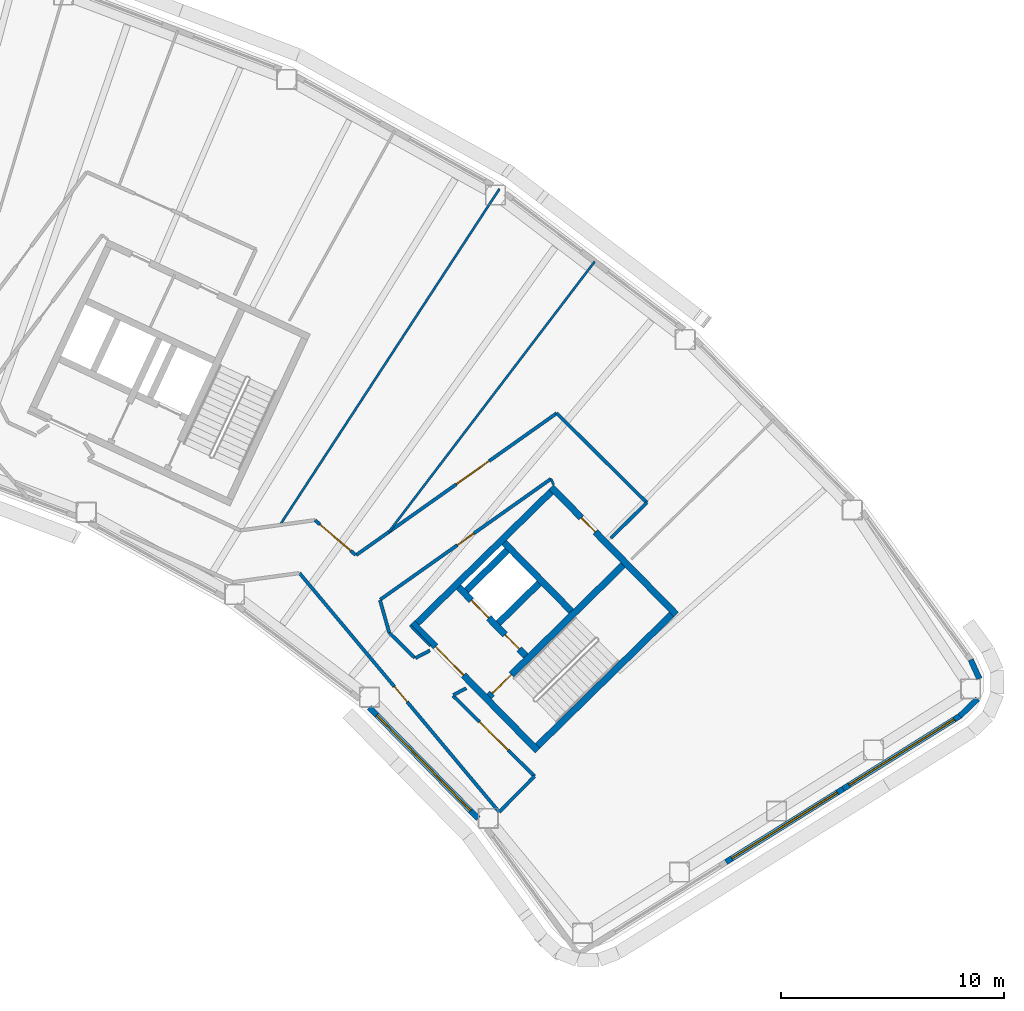
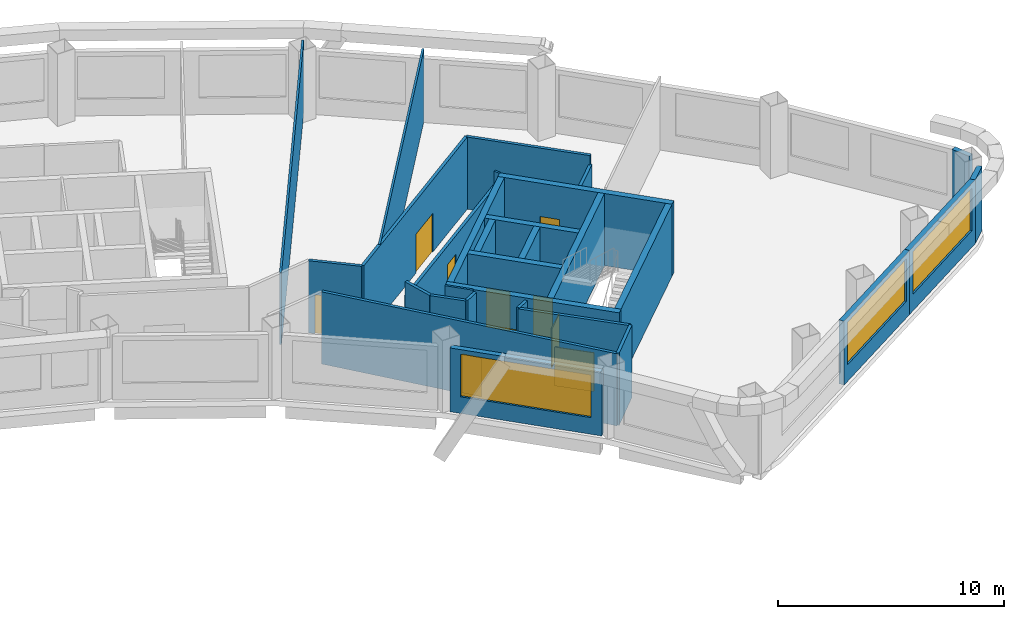
# One storey, part 9 of 14: 30 walls, 10 doors, 3 windows, 13 openings.
"""IFC4 building model written with IfcOpenShell, lengths in metres."""

from ifc_helpers import new_model, si_unit, direction, frame, frame_2d, origin, place, context, subcontext, project, spatial, rectangle, extrude, material, layer, layer_set, type_object, element, fill, save


model = new_model("IFC4")

# Units and contexts
model_context = context("Model", 3, precision=1e-05, world=origin(), true_north=direction((0.0, 1.0)))
body_context = subcontext(model_context, "Body", "Model", "MODEL_VIEW")
ifc_project = project(units=[si_unit("LENGTHUNIT", "METRE"), si_unit("AREAUNIT", "SQUARE_METRE"), si_unit("VOLUMEUNIT", "CUBIC_METRE"), si_unit("PLANEANGLEUNIT", "RADIAN"), si_unit("MASSUNIT", "GRAM", prefix="KILO")], contexts=[model_context])

# Site, building, storey
site_placement = place(None, origin())
site = spatial("IfcSite", under=ifc_project, at=site_placement, CompositionType="ELEMENT")
building_placement = place(site_placement, origin())
building = spatial("IfcBuilding", under=site, at=building_placement, Name="Tuul Gate Civic Tower", CompositionType="ELEMENT")
storey_placement = place(building_placement, frame((0.0, 0.0, 213.699951171875)))
storey = spatial("IfcBuildingStorey", under=building, at=storey_placement, Name="Level 48", CompositionType="ELEMENT", Elevation=213.699951171875)

# Wall, opening, door
ifc_material_1 = material(Name="Concrete C50/60", Category="concrete")
ifc_layer_1 = layer(ifc_material_1, 0.300048828125)
ifc_layer_set_1 = layer_set([ifc_layer_1], Name="Concrete C50/60")
wall_type_1 = type_object("IfcWallType", Name="Core wall C50/60", PredefinedType="SHEAR", material=ifc_layer_set_1)
wall_1_placement = place(storey_placement, frame((48.22509765625, -18.327880859375, 0.0), z_axis=(0.0, 0.0, 1.0), x_axis=(-0.700021979774, 0.714121297703, 0.0)))
wall_1 = element("IfcWall", 1, at=wall_1_placement, inside=storey, type_object=wall_type_1, Name="Core wall", PredefinedType="SHEAR", context=body_context, shape_type="SweptSolid", body=[
    extrude(rectangle(XDim=8.0, YDim=0.300048828125, at=frame_2d((4.0, 0.0))), origin(), (0.0, 0.0, 1.0), 3.900146484375),
])
opening_1_placement = place(wall_1_placement, frame((4.72509765625, 0.0, 0.0)))
opening_1 = element("IfcOpeningElement", 2, at=opening_1_placement, cuts=wall_1, Name="Opening LB-E1-LOBBY-1", PredefinedType="OPENING", context=body_context, shape_type="SweptSolid", body=[
    extrude(rectangle(XDim=1.800048828125, YDim=2.10009765625, at=frame_2d((0.89990234375, 1.050048828125))), frame((0.0, 0.16015625, 0.0), z_axis=(0.0, -1.0, 0.0), x_axis=(1.0, 0.0, 0.0)), (0.0, 0.0, 1.0), 0.320068359375),
])
ifc_material_2 = material(Name="Steel", Category="steel")
door_type_1 = type_object("IfcDoorType", Name="Lobby door", OperationType="DOUBLE_DOOR_SINGLE_SWING", PredefinedType="DOOR", material=ifc_material_2)
door_1_placement = place(opening_1_placement, frame((1.800048828125, 0.0, 0.0), z_axis=(0.0, 0.0, 1.0), x_axis=(-1.0, 0.0, 0.0)))
door_1 = element("IfcDoor", 3, at=door_1_placement, inside=storey, type_object=door_type_1, Name="Lobby door E1-LOBBY", OperationType="DOUBLE_DOOR_SINGLE_SWING", OverallHeight=2.10009765625, OverallWidth=1.800048828125, PredefinedType="DOOR", context=body_context, shape_type="SweptSolid", body=[
    extrude(rectangle(XDim=1.800048828125, YDim=2.10009765625, at=frame_2d((0.900146484375, 1.050048828125))), frame((0.0, 0.02490234375, 0.0), z_axis=(0.0, -1.0, 0.0), x_axis=(1.0, 0.0, 0.0)), (0.0, 0.0, 1.0), 0.050048828125),
])
fill(opening_1, door_1)

# Wall, openings, doors
wall_2_placement = place(storey_placement, frame((47.701904296875, -14.079833984375, 0.0), z_axis=(0.0, 0.0, 1.0), x_axis=(-0.700002721075, 0.714140175657, 0.0)))
wall_2 = element("IfcWall", 4, at=wall_2_placement, inside=storey, type_object=wall_type_1, Name="Core wall", PredefinedType="SHEAR", context=body_context, shape_type="SweptSolid", body=[
    extrude(rectangle(XDim=4.300048828125, YDim=0.300048828125, at=frame_2d((2.14990234375, 0.0))), origin(), (0.0, 0.0, 1.0), 3.900146484375),
])
opening_2_placement = place(wall_2_placement, frame((0.425048828125, 0.0, 0.0)))
opening_2 = element("IfcOpeningElement", 5, at=opening_2_placement, cuts=wall_2, Name="Opening FB-E1A1", PredefinedType="OPENING", context=body_context, shape_type="SweptSolid", body=[
    extrude(rectangle(XDim=0.89990234375, YDim=2.10009765625, at=frame_2d((0.449951171875, 1.050048828125))), frame((0.0, 0.16015625, 0.0), z_axis=(0.0, -1.0, 0.0), x_axis=(1.0, 0.0, 0.0)), (0.0, 0.0, 1.0), 0.320068359375),
])
opening_3_placement = place(wall_2_placement, frame((2.375, 0.0, 0.0)))
opening_3 = element("IfcOpeningElement", 6, at=opening_3_placement, cuts=wall_2, Name="Opening LD-M3", PredefinedType="OPENING", context=body_context, shape_type="SweptSolid", body=[
    extrude(rectangle(XDim=1.10009765625, YDim=2.10009765625, at=frame_2d((0.550048828125, 1.050048828125))), frame((0.0, 0.16015625, 0.0), z_axis=(0.0, -1.0, 0.0), x_axis=(1.0, 0.0, 0.0)), (0.0, 0.0, 1.0), 0.320068359375),
])
ifc_material_3 = material(Name="Stainless steel", Category="steel")
door_type_2 = type_object("IfcDoorType", Name="Landing door", OperationType="DOUBLE_DOOR_SLIDING", PredefinedType="DOOR", material=ifc_material_3)
door_2_placement = place(opening_3_placement, origin())
door_2 = element("IfcDoor", 7, at=door_2_placement, inside=storey, type_object=door_type_2, Name="Mid-rise lift M3 landing door", OperationType="DOUBLE_DOOR_SLIDING", OverallHeight=2.10009765625, OverallWidth=1.10009765625, PredefinedType="DOOR", context=body_context, shape_type="SweptSolid", body=[
    extrude(rectangle(XDim=1.10009765625, YDim=2.10009765625, at=frame_2d((0.550048828125, 1.050048828125))), frame((0.0, 0.02490234375, 0.0), z_axis=(0.0, -1.0, 0.0), x_axis=(1.0, 0.0, 0.0)), (0.0, 0.0, 1.0), 0.050048828125),
])
fill(opening_3, door_2)
ifc_material_4 = material(Name="Steel", Category="steel")
door_type_3 = type_object("IfcDoorType", Name="Store door", OperationType="NOTDEFINED", PredefinedType="DOOR", material=ifc_material_4)
door_3_placement = place(opening_2_placement, frame((0.89990234375, 0.0, 0.0), z_axis=(0.0, 0.0, 1.0), x_axis=(-1.0, 0.0, 0.0)))
door_3 = element("IfcDoor", 8, at=door_3_placement, inside=storey, type_object=door_type_3, Name="Store door E1A1", OperationType="SINGLE_SWING_RIGHT", OverallHeight=2.10009765625, OverallWidth=0.89990234375, PredefinedType="DOOR", context=body_context, shape_type="SweptSolid", body=[
    extrude(rectangle(XDim=0.89990234375, YDim=2.10009765625, at=frame_2d((0.449951171875, 1.050048828125))), frame((0.0, 0.02490234375, 0.0), z_axis=(0.0, -1.0, 0.0), x_axis=(1.0, 0.0, 0.0)), (0.0, 0.0, 1.0), 0.050048828125),
])
fill(opening_2, door_3)

# Wall
wall_3_placement = place(storey_placement, frame((49.737060546875, -12.0849609375, 0.0), z_axis=(0.0, 0.0, 1.0), x_axis=(-0.700002721075, 0.714140175657, 0.0)))
element("IfcWall", 9, at=wall_3_placement, inside=storey, type_object=wall_type_1, Name="Core wall", PredefinedType="SHEAR", context=body_context, shape_type="SweptSolid", body=[
    extrude(rectangle(XDim=4.300048828125, YDim=0.300048828125, at=frame_2d((2.14990234375, 0.0))), origin(), (0.0, 0.0, 1.0), 3.900146484375),
])

# Wall, opening, door
wall_4_placement = place(storey_placement, frame((54.43798828125, -12.23779296875, 0.0), z_axis=(0.0, 0.0, 1.0), x_axis=(-0.700021979774, 0.714121297703, 0.0)))
wall_4 = element("IfcWall", 10, at=wall_4_placement, inside=storey, type_object=wall_type_1, Name="Core wall", PredefinedType="SHEAR", context=body_context, shape_type="SweptSolid", body=[
    extrude(rectangle(XDim=8.0, YDim=0.300048828125, at=frame_2d((4.0, 0.0))), origin(), (0.0, 0.0, 1.0), 3.900146484375),
])
opening_4_placement = place(wall_4_placement, frame((5.175048828125, 0.0, 0.0)))
opening_4 = element("IfcOpeningElement", 11, at=opening_4_placement, cuts=wall_4, Name="Opening Q-D28", PredefinedType="OPENING", context=body_context, shape_type="SweptSolid", body=[
    extrude(rectangle(XDim=0.89990234375, YDim=2.10009765625, at=frame_2d((0.449951171875, 1.050048828125))), frame((0.0, 0.16015625, 0.0), z_axis=(0.0, -1.0, 0.0), x_axis=(1.0, 0.0, 0.0)), (0.0, 0.0, 1.0), 0.320068359375),
])
ifc_material_5 = material(Name="Timber door leaf", Category="wood")
door_type_4 = type_object("IfcDoorType", Name="Door D09", OperationType="NOTDEFINED", PredefinedType="DOOR", material=ifc_material_5)
door_4_placement = place(opening_4_placement, origin())
door_4 = element("IfcDoor", 12, at=door_4_placement, inside=storey, type_object=door_type_4, Name="Door Q-D28", OperationType="SINGLE_SWING_LEFT", OverallHeight=2.10009765625, OverallWidth=0.89990234375, PredefinedType="DOOR", context=body_context, shape_type="SweptSolid", body=[
    extrude(rectangle(XDim=0.89990234375, YDim=2.10009765625, at=frame_2d((0.449951171875, 1.050048828125))), frame((0.0, 0.02490234375, 0.0), z_axis=(0.0, -1.0, 0.0), x_axis=(1.0, 0.0, 0.0)), (0.0, 0.0, 1.0), 0.050048828125),
])
fill(opening_4, door_4)

# Wall
wall_5_placement = place(storey_placement, frame((48.227294921875, -18.115966796875, 0.0), z_axis=(0.0, 0.0, 1.0), x_axis=(0.714105315431, 0.700038283577, 0.0)))
element("IfcWall", 13, at=wall_5_placement, inside=storey, type_object=wall_type_1, Name="Core wall", PredefinedType="SHEAR", context=body_context, shape_type="SweptSolid", body=[
    extrude(rectangle(XDim=8.400146484375, YDim=0.300048828125, at=frame_2d((4.2001953125, 0.0))), origin(), (0.0, 0.0, 1.0), 3.900146484375),
])

# Wall, opening, door
wall_6_placement = place(storey_placement, frame((46.05712890625, -15.902099609375, 0.0), z_axis=(0.0, 0.0, 1.0), x_axis=(0.714134086973, 0.700008932674, 0.0)))
wall_6 = element("IfcWall", 14, at=wall_6_placement, inside=storey, type_object=wall_type_1, Name="Core wall", PredefinedType="SHEAR", context=body_context, shape_type="SweptSolid", body=[
    extrude(rectangle(XDim=8.400146484375, YDim=0.300048828125, at=frame_2d((4.2001953125, 0.0))), origin(), (0.0, 0.0, 1.0), 3.900146484375),
])
opening_5_placement = place(wall_6_placement, frame((0.199951171875, 0.0, 0.0)))
opening_5 = element("IfcOpeningElement", 15, at=opening_5_placement, cuts=wall_6, Name="Opening SD-ST-3", PredefinedType="OPENING", context=body_context, shape_type="SweptSolid", body=[
    extrude(rectangle(XDim=1.199951171875, YDim=2.10009765625, at=frame_2d((0.60009765625, 1.050048828125))), frame((0.0, 0.16015625, 0.0), z_axis=(0.0, -1.0, 0.0), x_axis=(1.0, 0.0, 0.0)), (0.0, 0.0, 1.0), 0.320068359375),
])
ifc_material_6 = material(Name="Steel", Category="steel")
door_type_5 = type_object("IfcDoorType", Name="Stair door", OperationType="NOTDEFINED", PredefinedType="DOOR", material=ifc_material_6)
door_5_placement = place(opening_5_placement, origin())
door_5 = element("IfcDoor", 16, at=door_5_placement, inside=storey, type_object=door_type_5, Name="Stair door ST-3", OperationType="SINGLE_SWING_LEFT", OverallHeight=2.10009765625, OverallWidth=1.199951171875, PredefinedType="DOOR", context=body_context, shape_type="SweptSolid", body=[
    extrude(rectangle(XDim=1.199951171875, YDim=2.10009765625, at=frame_2d((0.60009765625, 1.050048828125))), frame((0.0, 0.02490234375, 0.0), z_axis=(0.0, -1.0, 0.0), x_axis=(1.0, 0.0, 0.0)), (0.0, 0.0, 1.0), 0.050048828125),
])
fill(opening_5, door_5)

# Walls
wall_7_placement = place(storey_placement, frame((46.47900390625, -12.617919921875, 0.0), z_axis=(0.0, 0.0, 1.0), x_axis=(0.71410944159, 0.700034074479, 0.0)))
element("IfcWall", 17, at=wall_7_placement, inside=storey, type_object=wall_type_1, Name="Core wall", PredefinedType="SHEAR", context=body_context, shape_type="SweptSolid", body=[
    extrude(rectangle(XDim=2.5498046875, YDim=0.300048828125, at=frame_2d((1.27490234375, 0.0))), origin(), (0.0, 0.0, 1.0), 3.900146484375),
])
wall_8_placement = place(storey_placement, frame((45.0439453125, -11.154052734375, 0.0), z_axis=(0.0, 0.0, 1.0), x_axis=(0.714108498262, 0.700035036773, 0.0)))
element("IfcWall", 18, at=wall_8_placement, inside=storey, type_object=wall_type_1, Name="Core wall", PredefinedType="SHEAR", context=body_context, shape_type="SweptSolid", body=[
    extrude(rectangle(XDim=2.550048828125, YDim=0.300048828125, at=frame_2d((1.27490234375, 0.0))), origin(), (0.0, 0.0, 1.0), 3.900146484375),
])
wall_9_placement = place(storey_placement, frame((42.837158203125, -12.616943359375, 0.0), z_axis=(0.0, 0.0, 1.0), x_axis=(0.714119844755, 0.700023461983, 0.0)))
element("IfcWall", 19, at=wall_9_placement, inside=storey, type_object=wall_type_1, Name="Core wall", PredefinedType="SHEAR", context=body_context, shape_type="SweptSolid", body=[
    extrude(rectangle(XDim=8.39990234375, YDim=0.300048828125, at=frame_2d((4.199951171875, 0.0))), origin(), (0.0, 0.0, 1.0), 3.900146484375),
])

# Wall, opening, door
ifc_material_7 = material(Name="Gypsum board partition")
ifc_layer_2 = layer(ifc_material_7, 0.14990234375)
ifc_layer_set_2 = layer_set([ifc_layer_2], Name="Gypsum board partition")
wall_type_2 = type_object("IfcWallType", Name="Corridor wall P150", PredefinedType="PARTITIONING", material=ifc_layer_set_2)
wall_10_placement = place(storey_placement, frame((37.57421875, -10.383544921875, 0.0), z_axis=(0.0, 0.0, 1.0), x_axis=(0.641390037822, -0.767214975989, 0.0)))
wall_10 = element("IfcWall", 20, at=wall_10_placement, inside=storey, type_object=wall_type_2, Name="p003", PredefinedType="PARTITIONING", context=body_context, shape_type="SweptSolid", body=[
    extrude(rectangle(XDim=13.933349609375, YDim=0.14990234375, at=frame_2d((6.966796875, 0.0))), origin(), (0.0, 0.0, 1.0), 3.900146484375),
])
opening_6_placement = place(wall_10_placement, frame((6.616943359375, 0.0, 0.0)))
opening_6 = element("IfcOpeningElement", 21, at=opening_6_placement, cuts=wall_10, Name="Opening Q-D21", PredefinedType="OPENING", context=body_context, shape_type="SweptSolid", body=[
    extrude(rectangle(XDim=0.89990234375, YDim=2.10009765625, at=frame_2d((0.449951171875, 1.050048828125))), frame((0.0, 0.0849609375, 0.0), z_axis=(0.0, -1.0, 0.0), x_axis=(1.0, 0.0, 0.0)), (0.0, 0.0, 1.0), 0.169921875),
])
door_6_placement = place(opening_6_placement, frame((0.89990234375, 0.0, 0.0), z_axis=(0.0, 0.0, 1.0), x_axis=(-1.0, 0.0, 0.0)))
door_6 = element("IfcDoor", 22, at=door_6_placement, inside=storey, type_object=door_type_4, Name="Door Q-D21", OperationType="SINGLE_SWING_LEFT", OverallHeight=2.10009765625, OverallWidth=0.89990234375, PredefinedType="DOOR", context=body_context, shape_type="SweptSolid", body=[
    extrude(rectangle(XDim=0.89990234375, YDim=2.10009765625, at=frame_2d((0.449951171875, 1.050048828125))), frame((0.0, 0.02490234375, 0.0), z_axis=(0.0, -1.0, 0.0), x_axis=(1.0, 0.0, 0.0)), (0.0, 0.0, 1.0), 0.050048828125),
])
fill(opening_6, door_6)

# Walls
wall_11_placement = place(storey_placement, frame((46.510986328125, -21.073486328125, 0.0), z_axis=(0.0, 0.0, 1.0), x_axis=(0.702862622196, 0.711325617647, 0.0)))
element("IfcWall", 23, at=wall_11_placement, inside=storey, type_object=wall_type_2, Name="p004", PredefinedType="PARTITIONING", context=body_context, shape_type="SweptSolid", body=[
    extrude(rectangle(XDim=2.250244140625, YDim=0.14990234375, at=frame_2d((1.125, 0.0))), origin(), (0.0, 0.0, 1.0), 3.900146484375),
])
wall_12_placement = place(storey_placement, frame((41.590087890625, -13.047119140625, 0.0), z_axis=(0.0, 0.0, 1.0), x_axis=(0.711334510502, -0.70285362215, 0.0)))
element("IfcWall", 24, at=wall_12_placement, inside=storey, type_object=wall_type_2, Name="p005", PredefinedType="PARTITIONING", context=body_context, shape_type="SweptSolid", body=[
    extrude(rectangle(XDim=1.612060546875, YDim=0.14990234375, at=frame_2d((0.80615234375, 0.0))), origin(), (0.0, 0.0, 1.0), 3.900146484375),
])

# Wall, opening, door
wall_13_placement = place(storey_placement, frame((44.4462890625, -15.869384765625, 0.0), z_axis=(0.0, 0.0, 1.0), x_axis=(0.711261585743, -0.702927419188, 0.0)))
wall_13 = element("IfcWall", 25, at=wall_13_placement, inside=storey, type_object=wall_type_2, Name="p006", PredefinedType="PARTITIONING", context=body_context, shape_type="SweptSolid", body=[
    extrude(rectangle(XDim=5.12646484375, YDim=0.14990234375, at=frame_2d((2.563232421875, 0.0))), origin(), (0.0, 0.0, 1.0), 3.900146484375),
])
opening_7_placement = place(wall_13_placement, frame((1.663330078125, 0.0, 0.0)))
opening_7 = element("IfcOpeningElement", 26, at=opening_7_placement, cuts=wall_13, Name="Opening Q-D01", PredefinedType="OPENING", context=body_context, shape_type="SweptSolid", body=[
    extrude(rectangle(XDim=1.800048828125, YDim=2.10009765625, at=frame_2d((0.89990234375, 1.050048828125))), frame((0.0, 0.0849609375, 0.0), z_axis=(0.0, -1.0, 0.0), x_axis=(1.0, 0.0, 0.0)), (0.0, 0.0, 1.0), 0.169921875),
])
ifc_material_8 = material(Name="Timber door leaf, double", Category="wood")
door_type_6 = type_object("IfcDoorType", Name="Door D18", OperationType="DOUBLE_DOOR_SINGLE_SWING", PredefinedType="DOOR", material=ifc_material_8)
door_7_placement = place(opening_7_placement, frame((1.800048828125, 0.0, 0.0), z_axis=(0.0, 0.0, 1.0), x_axis=(-1.0, 0.0, 0.0)))
door_7 = element("IfcDoor", 27, at=door_7_placement, inside=storey, type_object=door_type_6, Name="Door Q-D01", OperationType="DOUBLE_DOOR_SINGLE_SWING", OverallHeight=2.10009765625, OverallWidth=1.800048828125, PredefinedType="DOOR", context=body_context, shape_type="SweptSolid", body=[
    extrude(rectangle(XDim=1.800048828125, YDim=2.10009765625, at=frame_2d((0.900146484375, 1.050048828125))), frame((0.0, 0.02490234375, 0.0), z_axis=(0.0, -1.0, 0.0), x_axis=(1.0, 0.0, 0.0)), (0.0, 0.0, 1.0), 0.050048828125),
])
fill(opening_7, door_7)

# Walls
wall_14_placement = place(storey_placement, frame((44.450927734375, -15.83740234375, 0.0), z_axis=(0.0, 0.0, 1.0), x_axis=(0.885592182656, 0.464463654141, 0.0)))
element("IfcWall", 28, at=wall_14_placement, inside=storey, type_object=wall_type_2, Name="p007", PredefinedType="PARTITIONING", context=body_context, shape_type="SweptSolid", body=[
    extrude(rectangle(XDim=0.6591796875, YDim=0.14990234375, at=frame_2d((0.32958984375, 0.0))), origin(), (0.0, 0.0, 1.0), 3.900146484375),
])
wall_15_placement = place(storey_placement, frame((49.084228515625, -3.223876953125, 0.0), z_axis=(0.0, 0.0, 1.0), x_axis=(0.709892742932, -0.704309799401, 0.0)))
element("IfcWall", 29, at=wall_15_placement, inside=storey, type_object=wall_type_2, Name="p010", PredefinedType="PARTITIONING", context=body_context, shape_type="SweptSolid", body=[
    extrude(rectangle(XDim=5.684814453125, YDim=0.14990234375, at=frame_2d((2.84228515625, 0.0))), origin(), (0.0, 0.0, 1.0), 3.900146484375),
])

# Wall, opening, door
wall_16_placement = place(storey_placement, frame((40.111572265625, -9.5712890625, 0.0), z_axis=(0.0, 0.0, 1.0), x_axis=(0.816354840619, 0.577550668079, 0.0)))
wall_16 = element("IfcWall", 30, at=wall_16_placement, inside=storey, type_object=wall_type_2, Name="p011", PredefinedType="PARTITIONING", context=body_context, shape_type="SweptSolid", body=[
    extrude(rectangle(XDim=10.990234375, YDim=0.14990234375, at=frame_2d((5.4951171875, 0.0))), origin(), (0.0, 0.0, 1.0), 3.900146484375),
])
opening_8_placement = place(wall_16_placement, frame((5.486572265625, 0.0, 0.0)))
opening_8 = element("IfcOpeningElement", 31, at=opening_8_placement, cuts=wall_16, Name="Opening Q-D02", PredefinedType="OPENING", context=body_context, shape_type="SweptSolid", body=[
    extrude(rectangle(XDim=1.800048828125, YDim=2.10009765625, at=frame_2d((0.89990234375, 1.050048828125))), frame((0.0, 0.0849609375, 0.0), z_axis=(0.0, -1.0, 0.0), x_axis=(1.0, 0.0, 0.0)), (0.0, 0.0, 1.0), 0.169921875),
])
door_8_placement = place(opening_8_placement, origin())
door_8 = element("IfcDoor", 32, at=door_8_placement, inside=storey, type_object=door_type_6, Name="Door Q-D02", OperationType="DOUBLE_DOOR_SINGLE_SWING", OverallHeight=2.10009765625, OverallWidth=1.800048828125, PredefinedType="DOOR", context=body_context, shape_type="SweptSolid", body=[
    extrude(rectangle(XDim=1.800048828125, YDim=2.10009765625, at=frame_2d((0.89990234375, 1.050048828125))), frame((0.0, 0.02490234375, 0.0), z_axis=(0.0, -1.0, 0.0), x_axis=(1.0, 0.0, 0.0)), (0.0, 0.0, 1.0), 0.050048828125),
])
fill(opening_8, door_8)

wall_17_placement = place(storey_placement, frame((38.264892578125, -8.011962890625, 0.0), z_axis=(0.0, 0.0, 1.0), x_axis=(0.760003699048, -0.649918746794, 0.0)))
wall_17 = element("IfcWall", 33, at=wall_17_placement, inside=storey, type_object=wall_type_2, Name="p013", PredefinedType="PARTITIONING", context=body_context, shape_type="SweptSolid", body=[
    extrude(rectangle(XDim=2.3974609375, YDim=0.14990234375, at=frame_2d((1.19873046875, 0.0))), origin(), (0.0, 0.0, 1.0), 3.900146484375),
])
opening_9_placement = place(wall_17_placement, frame((0.298583984375, 0.0, 0.0)))
opening_9 = element("IfcOpeningElement", 34, at=opening_9_placement, cuts=wall_17, Name="Opening Q-D03", PredefinedType="OPENING", context=body_context, shape_type="SweptSolid", body=[
    extrude(rectangle(XDim=1.800048828125, YDim=2.10009765625, at=frame_2d((0.89990234375, 1.050048828125))), frame((0.0, 0.0849609375, 0.0), z_axis=(0.0, -1.0, 0.0), x_axis=(1.0, 0.0, 0.0)), (0.0, 0.0, 1.0), 0.169921875),
])
door_9_placement = place(opening_9_placement, origin())
door_9 = element("IfcDoor", 35, at=door_9_placement, inside=storey, type_object=door_type_6, Name="Door Q-D03", OperationType="DOUBLE_DOOR_SINGLE_SWING", OverallHeight=2.10009765625, OverallWidth=1.800048828125, PredefinedType="DOOR", context=body_context, shape_type="SweptSolid", body=[
    extrude(rectangle(XDim=1.800048828125, YDim=2.10009765625, at=frame_2d((0.89990234375, 1.050048828125))), frame((0.0, 0.02490234375, 0.0), z_axis=(0.0, -1.0, 0.0), x_axis=(1.0, 0.0, 0.0)), (0.0, 0.0, 1.0), 0.050048828125),
])
fill(opening_9, door_9)

# Walls
wall_18_placement = place(storey_placement, frame((42.76025390625, -14.18359375, 0.0), z_axis=(0.0, 0.0, 1.0), x_axis=(0.885589945599, 0.46446791951, 0.0)))
element("IfcWall", 36, at=wall_18_placement, inside=storey, type_object=wall_type_2, Name="p072", PredefinedType="PARTITIONING", context=body_context, shape_type="SweptSolid", body=[
    extrude(rectangle(XDim=0.732177734375, YDim=0.14990234375, at=frame_2d((0.3662109375, 0.0))), origin(), (0.0, 0.0, 1.0), 3.900146484375),
])
wall_19_placement = place(storey_placement, frame((41.17578125, -11.590576171875, 0.0), z_axis=(0.0, 0.0, 1.0), x_axis=(0.272169367625, -0.962249362342, 0.0)))
element("IfcWall", 37, at=wall_19_placement, inside=storey, type_object=wall_type_2, Name="p073", PredefinedType="PARTITIONING", context=body_context, shape_type="SweptSolid", body=[
    extrude(rectangle(XDim=1.50439453125, YDim=0.14990234375, at=frame_2d((0.752197265625, 0.0))), origin(), (0.0, 0.0, 1.0), 3.900146484375),
])

# Wall, opening, door
ifc_material_9 = material(Name="Gypsum board partition")
ifc_layer_3 = layer(ifc_material_9, 0.14990234375)
ifc_layer_set_3 = layer_set([ifc_layer_3], Name="Gypsum board partition")
wall_type_3 = type_object("IfcWallType", Name="Corridor wall P150 3100 HIGH", PredefinedType="PARTITIONING", material=ifc_layer_set_3)
wall_20_placement = place(storey_placement, frame((41.18359375, -11.56884765625, 0.0), z_axis=(0.0, 0.0, 1.0), x_axis=(0.816366162126, 0.577534665051, 0.0)))
wall_20 = element("IfcWall", 38, at=wall_20_placement, inside=storey, type_object=wall_type_3, Name="p074", PredefinedType="PARTITIONING", context=body_context, shape_type="SweptSolid", body=[
    extrude(rectangle(XDim=9.362548828125, YDim=0.14990234375, at=frame_2d((4.68115234375, 0.0))), origin(), (0.0, 0.0, 1.0), 3.10009765625),
])
opening_10_placement = place(wall_20_placement, frame((4.2314453125, 0.0, 0.0)))
opening_10 = element("IfcOpeningElement", 39, at=opening_10_placement, cuts=wall_20, Name="Opening Q-D23", PredefinedType="OPENING", context=body_context, shape_type="SweptSolid", body=[
    extrude(rectangle(XDim=0.89990234375, YDim=2.10009765625, at=frame_2d((0.449951171875, 1.050048828125))), frame((0.0, 0.0849609375, 0.0), z_axis=(0.0, -1.0, 0.0), x_axis=(1.0, 0.0, 0.0)), (0.0, 0.0, 1.0), 0.169921875),
])
door_10_placement = place(opening_10_placement, frame((0.89990234375, 0.0, 0.0), z_axis=(0.0, 0.0, 1.0), x_axis=(-1.0, 0.0, 0.0)))
door_10 = element("IfcDoor", 40, at=door_10_placement, inside=storey, type_object=door_type_4, Name="Door Q-D23", OperationType="SINGLE_SWING_LEFT", OverallHeight=2.10009765625, OverallWidth=0.89990234375, PredefinedType="DOOR", context=body_context, shape_type="SweptSolid", body=[
    extrude(rectangle(XDim=0.89990234375, YDim=2.10009765625, at=frame_2d((0.449951171875, 1.050048828125))), frame((0.0, 0.02490234375, 0.0), z_axis=(0.0, -1.0, 0.0), x_axis=(1.0, 0.0, 0.0)), (0.0, 0.0, 1.0), 0.050048828125),
])
fill(opening_10, door_10)

# Walls
ifc_material_10 = material(Name="Gypsum board partition")
ifc_layer_4 = layer(ifc_material_10, 0.14990234375)
ifc_layer_set_4 = layer_set([ifc_layer_4], Name="Gypsum board partition")
wall_type_4 = type_object("IfcWallType", Name="Corridor wall P150 3400 HIGH", PredefinedType="PARTITIONING", material=ifc_layer_set_4)
wall_21_placement = place(storey_placement, frame((51.50244140625, -8.814208984375, 0.0), z_axis=(0.0, 0.0, 1.0), x_axis=(0.714078121685, 0.700066022694, 0.0)))
element("IfcWall", 41, at=wall_21_placement, inside=storey, type_object=wall_type_4, Name="p009", PredefinedType="PARTITIONING", context=body_context, shape_type="SweptSolid", body=[
    extrude(rectangle(XDim=2.26513671875, YDim=0.14990234375, at=frame_2d((1.132568359375, 0.0))), origin(), (0.0, 0.0, 1.0), 3.400146484375),
])
ifc_material_11 = material(Name="Precast concrete C40/50", Category="concrete")
ifc_layer_5 = layer(ifc_material_11, 0.25)
ifc_layer_set_5 = layer_set([ifc_layer_5], Name="Precast concrete C40/50")
wall_type_5 = type_object("IfcWallType", Name="External wall", PredefinedType="STANDARD", material=ifc_layer_set_5)
wall_22_placement = place(storey_placement, frame((67.129638671875, -16.775634765625, 0.0), z_axis=(0.0, 0.0, 1.0), x_axis=(0.722112640162, 0.691775494592, 0.0)))
element("IfcWall", 42, at=wall_22_placement, inside=storey, type_object=wall_type_5, Name="External wall", PredefinedType="STANDARD", context=body_context, shape_type="SweptSolid", body=[
    extrude(rectangle(XDim=1.1025390625, YDim=0.25, at=frame_2d((0.55126953125, 0.0))), origin(), (0.0, 0.0, 1.0), 3.449951171875),
])
wall_23_placement = place(storey_placement, frame((68.0029296875, -15.113037109375, 0.0), z_axis=(0.0, 0.0, 1.0), x_axis=(-0.411921142617, 0.911219497303, 0.0)))
element("IfcWall", 43, at=wall_23_placement, inside=storey, type_object=wall_type_5, Name="External wall", PredefinedType="STANDARD", context=body_context, shape_type="SweptSolid", body=[
    extrude(rectangle(XDim=0.938720703125, YDim=0.25, at=frame_2d((0.46923828125, 0.0))), origin(), (0.0, 0.0, 1.0), 3.449951171875),
])

# Wall, opening, window
wall_24_placement = place(storey_placement, frame((40.69287109375, -16.387939453125, 0.0), z_axis=(0.0, 0.0, 1.0), x_axis=(0.700029726531, -0.714113703813, 0.0)))
wall_24 = element("IfcWall", 44, at=wall_24_placement, inside=storey, type_object=wall_type_5, Name="External wall", PredefinedType="STANDARD", context=body_context, shape_type="SweptSolid", body=[
    extrude(rectangle(XDim=6.968505859375, YDim=0.25, at=frame_2d((3.484375, 0.0))), origin(), (0.0, 0.0, 1.0), 3.449951171875),
])
opening_11_placement = place(wall_24_placement, frame((0.484130859375, 0.0, 0.89990234375)))
opening_11 = element("IfcOpeningElement", 45, at=opening_11_placement, cuts=wall_24, Name="Opening W26", PredefinedType="OPENING", context=body_context, shape_type="SweptSolid", body=[
    extrude(rectangle(XDim=6.0, YDim=2.300048828125, at=frame_2d((3.0, 1.14990234375))), frame((0.0, 0.135009765625, 0.0), z_axis=(0.0, -1.0, 0.0), x_axis=(1.0, 0.0, 0.0)), (0.0, 0.0, 1.0), 0.27001953125),
])
ifc_material_12 = material(Name="Glass", Category="glass")
window_type_1 = type_object("IfcWindowType", Name="Window W26 6000 x 2300", PartitioningType="SINGLE_PANEL", PredefinedType="WINDOW", material=ifc_material_12)
window_1_placement = place(opening_11_placement, origin())
window_1 = element("IfcWindow", 46, at=window_1_placement, inside=storey, type_object=window_type_1, Name="Window", OverallHeight=2.300048828125, OverallWidth=6.0, PartitioningType="SINGLE_PANEL", PredefinedType="WINDOW", context=body_context, shape_type="SweptSolid", body=[
    extrude(rectangle(XDim=6.0, YDim=2.300048828125, at=frame_2d((3.0, 1.14990234375))), frame((0.0, 0.030029296875, 0.0), z_axis=(0.0, -1.0, 0.0), x_axis=(1.0, 0.0, 0.0)), (0.0, 0.0, 1.0), 0.06005859375),
])
fill(opening_11, window_1)

wall_25_placement = place(storey_placement, frame((56.6630859375, -23.312744140625, 0.0), z_axis=(0.0, 0.0, 1.0), x_axis=(0.848053758074, 0.529910203164, 0.0)))
wall_25 = element("IfcWall", 47, at=wall_25_placement, inside=storey, type_object=wall_type_5, Name="External wall", PredefinedType="STANDARD", context=body_context, shape_type="SweptSolid", body=[
    extrude(rectangle(XDim=6.182861328125, YDim=0.25, at=frame_2d((3.09130859375, 0.0))), origin(), (0.0, 0.0, 1.0), 3.449951171875),
])
opening_12_placement = place(wall_25_placement, frame((0.31640625, 0.0, 0.89990234375)))
opening_12 = element("IfcOpeningElement", 48, at=opening_12_placement, cuts=wall_25, Name="Opening W24", PredefinedType="OPENING", context=body_context, shape_type="SweptSolid", body=[
    extrude(rectangle(XDim=5.550048828125, YDim=2.300048828125, at=frame_2d((2.77490234375, 1.14990234375))), frame((0.0, 0.135009765625, 0.0), z_axis=(0.0, -1.0, 0.0), x_axis=(1.0, 0.0, 0.0)), (0.0, 0.0, 1.0), 0.27001953125),
])
ifc_material_13 = material(Name="Glass", Category="glass")
window_type_2 = type_object("IfcWindowType", Name="Window W24 5550 x 2300", PartitioningType="SINGLE_PANEL", PredefinedType="WINDOW", material=ifc_material_13)
window_2_placement = place(opening_12_placement, origin())
window_2 = element("IfcWindow", 49, at=window_2_placement, inside=storey, type_object=window_type_2, Name="Window", OverallHeight=2.300048828125, OverallWidth=5.550048828125, PartitioningType="SINGLE_PANEL", PredefinedType="WINDOW", context=body_context, shape_type="SweptSolid", body=[
    extrude(rectangle(XDim=5.550048828125, YDim=2.300048828125, at=frame_2d((2.77490234375, 1.14990234375))), frame((0.0, 0.030029296875, 0.0), z_axis=(0.0, -1.0, 0.0), x_axis=(1.0, 0.0, 0.0)), (0.0, 0.0, 1.0), 0.06005859375),
])
fill(opening_12, window_2)

wall_26_placement = place(storey_placement, frame((61.906494140625, -20.036376953125, 0.0), z_axis=(0.0, 0.0, 1.0), x_axis=(0.848042669488, 0.529927948619, 0.0)))
wall_26 = element("IfcWall", 50, at=wall_26_placement, inside=storey, type_object=wall_type_5, Name="External wall", PredefinedType="STANDARD", context=body_context, shape_type="SweptSolid", body=[
    extrude(rectangle(XDim=6.1826171875, YDim=0.25, at=frame_2d((3.09130859375, 0.0))), origin(), (0.0, 0.0, 1.0), 3.449951171875),
])
opening_13_placement = place(wall_26_placement, frame((0.31640625, 0.0, 0.89990234375)))
opening_13 = element("IfcOpeningElement", 51, at=opening_13_placement, cuts=wall_26, Name="Opening W24", PredefinedType="OPENING", context=body_context, shape_type="SweptSolid", body=[
    extrude(rectangle(XDim=5.550048828125, YDim=2.300048828125, at=frame_2d((2.77490234375, 1.14990234375))), frame((0.0, 0.135009765625, 0.0), z_axis=(0.0, -1.0, 0.0), x_axis=(1.0, 0.0, 0.0)), (0.0, 0.0, 1.0), 0.27001953125),
])
window_3_placement = place(opening_13_placement, origin())
window_3 = element("IfcWindow", 52, at=window_3_placement, inside=storey, type_object=window_type_2, Name="Window", OverallHeight=2.300048828125, OverallWidth=5.550048828125, PartitioningType="SINGLE_PANEL", PredefinedType="WINDOW", context=body_context, shape_type="SweptSolid", body=[
    extrude(rectangle(XDim=5.550048828125, YDim=2.300048828125, at=frame_2d((2.77490234375, 1.14990234375))), frame((0.0, 0.030029296875, 0.0), z_axis=(0.0, -1.0, 0.0), x_axis=(1.0, 0.0, 0.0)), (0.0, 0.0, 1.0), 0.06005859375),
])
fill(opening_13, window_3)

# Walls
ifc_material_14 = material(Name="Gypsum board partition")
ifc_layer_6 = layer(ifc_material_14, 0.10009765625)
ifc_layer_set_6 = layer_set([ifc_layer_6], Name="Gypsum board partition")
wall_type_6 = type_object("IfcWallType", Name="Partition P100", PredefinedType="PARTITIONING", material=ifc_layer_set_6)
wall_27_placement = place(storey_placement, frame((41.56689453125, -8.54150390625, 0.0), z_axis=(0.0, 0.0, 1.0), x_axis=(0.60579049751, 0.795624203457, 0.0)))
element("IfcWall", 53, at=wall_27_placement, inside=storey, type_object=wall_type_6, Name="p008", PredefinedType="PARTITIONING", context=body_context, shape_type="SweptSolid", body=[
    extrude(rectangle(XDim=15.224609375, YDim=0.10009765625, at=frame_2d((7.6123046875, 0.0))), origin(), (0.0, 0.0, 1.0), 3.900146484375),
])
wall_28_placement = place(storey_placement, frame((36.6982421875, -8.2265625, 0.0), z_axis=(0.0, 0.0, 1.0), x_axis=(0.546727286059, 0.837310739617, 0.0)))
element("IfcWall", 54, at=wall_28_placement, inside=storey, type_object=wall_type_6, Name="p012", PredefinedType="PARTITIONING", context=body_context, shape_type="SweptSolid", body=[
    extrude(rectangle(XDim=17.970458984375, YDim=0.10009765625, at=frame_2d((8.9853515625, 0.0))), origin(), (0.0, 0.0, 1.0), 3.900146484375),
])
wall_29_placement = place(storey_placement, frame((42.517822265625, -12.719970703125, 0.0), z_axis=(0.0, 0.0, 1.0), x_axis=(0.700099672656, -0.714045130469, 0.0)))
element("IfcWall", 55, at=wall_29_placement, inside=storey, type_object=wall_type_6, Name="p079", PredefinedType="PARTITIONING", context=body_context, shape_type="SweptSolid", body=[
    extrude(rectangle(XDim=1.29541015625, YDim=0.10009765625, at=frame_2d((0.647705078125, 0.0))), origin(), (0.0, 0.0, 1.0), 3.900146484375),
])
wall_30_placement = place(storey_placement, frame((48.826904296875, -6.16162109375, 0.0), z_axis=(0.0, 0.0, 1.0), x_axis=(0.416003496024, -0.909363014036, 0.0)))
element("IfcWall", 56, at=wall_30_placement, inside=storey, type_object=wall_type_6, Name="p083", PredefinedType="PARTITIONING", context=body_context, shape_type="SweptSolid", body=[
    extrude(rectangle(XDim=0.283935546875, YDim=0.10009765625, at=frame_2d((0.14208984375, 0.0))), origin(), (0.0, 0.0, 1.0), 3.900146484375),
])

save(model, "model.ifc")
